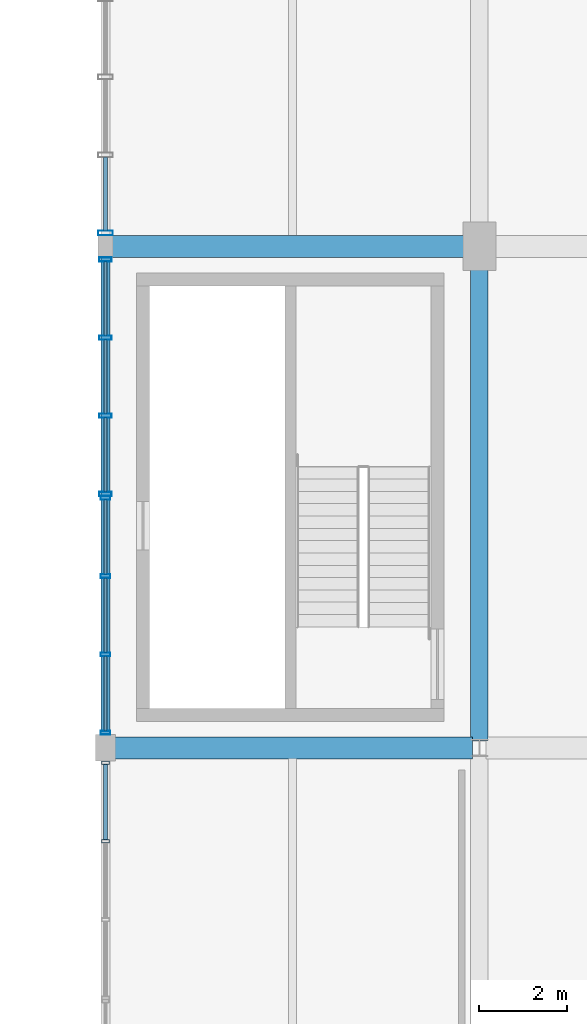
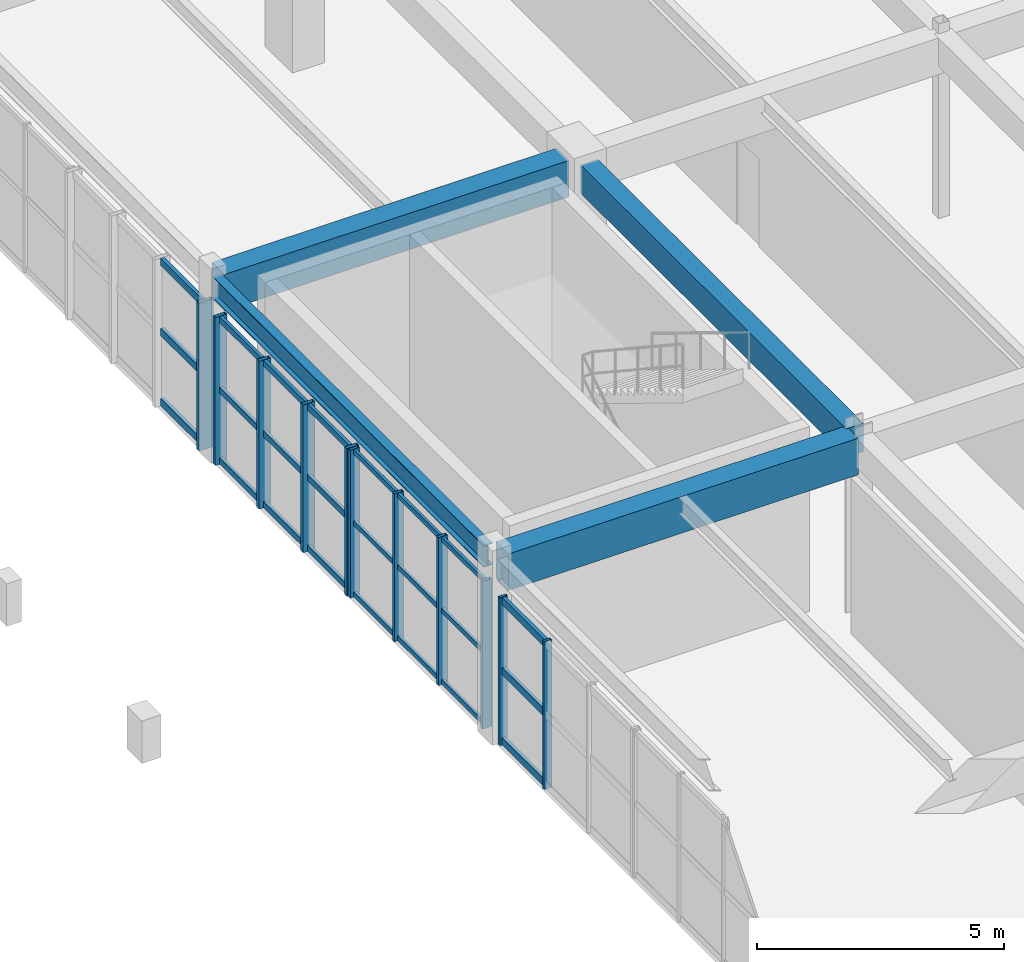
# One storey, part 40 of 106: 35 members, 4 beams, 4 elements without a shape of their own.
"""IFC4 building model written with IfcOpenShell, lengths in metres."""

from ifc_helpers import new_model, si_unit, direction, frame, origin, origin_2d, place, context, subcontext, project, spatial, rectangle, hollow_rectangle, i_section, extrude, material, layer, layer_set, material_profile, profile_set, type_object, element, aggregate, save


model = new_model("IFC4")

# Units and contexts
model_context = context("Model", 3, precision=1e-05, world=origin(), true_north=direction((0.0, 1.0)))
body_context = subcontext(model_context, "Body", "Model", "MODEL_VIEW")
ifc_project = project(units=[si_unit("LENGTHUNIT", "METRE"), si_unit("AREAUNIT", "SQUARE_METRE"), si_unit("VOLUMEUNIT", "CUBIC_METRE"), si_unit("PLANEANGLEUNIT", "RADIAN"), si_unit("MASSUNIT", "GRAM", prefix="KILO"), si_unit("POWERUNIT", "WATT"), si_unit("THERMODYNAMICTEMPERATUREUNIT", "KELVIN")], contexts=[model_context])

# Site, building, storey
site_placement = place(None, origin())
site = spatial("IfcSite", under=ifc_project, at=site_placement, CompositionType="ELEMENT")
building_placement = place(site_placement, origin())
building = spatial("IfcBuilding", under=site, at=building_placement, Name="Kelmbourne Parkland Aquatics Centre", CompositionType="ELEMENT")
storey_placement = place(building_placement, frame((0.0, 0.0, 5.39990234375)))
storey = spatial("IfcBuildingStorey", under=building, at=storey_placement, Name="L01", CompositionType="ELEMENT", Elevation=5.39990234375)

# Beams
ifc_material_1 = material(Name="Concrete C40/50", Category="concrete")
ifc_material_profile_1 = material_profile(ifc_material_1, rectangle(XDim=0.5, YDim=0.89990234375, at=origin_2d()), Name="RC 500x900")
ifc_profile_set_1 = profile_set([ifc_material_profile_1], Name="Concrete C40/50")
beam_type_1 = type_object("IfcBeamType", Name="BM-G03", PredefinedType="BEAM", material=ifc_profile_set_1)
beam_1_placement = place(storey_placement, frame((102.179931640625, 35.0, 4.110107421875), z_axis=(1.0, 0.0, 0.0), x_axis=(0.0, 1.0, 0.0)))
element("IfcBeam", 1, at=beam_1_placement, inside=storey, type_object=beam_type_1, Name="Primary girder M-N Grid 05 (L02)", PredefinedType="BEAM", context=body_context, shape_type="SweptSolid", body=[
    extrude(rectangle(XDim=0.5, YDim=0.89990234375, at=origin_2d()), origin(), (0.0, 0.0, 1.0), 8.1650390625),
])
beam_2_placement = place(storey_placement, frame((102.1298828125, 46.39990234375, 4.110107421875), z_axis=(1.0, 0.0, 0.0), x_axis=(0.0, 1.0, 0.0)))
element("IfcBeam", 2, at=beam_2_placement, inside=storey, type_object=beam_type_1, Name="Primary girder M-N Grid 06 (L02)", PredefinedType="BEAM", context=body_context, shape_type="SweptSolid", body=[
    extrude(rectangle(XDim=0.5, YDim=0.89990234375, at=origin_2d()), origin(), (0.0, 0.0, 1.0), 8.0400390625),
])
ifc_material_profile_2 = material_profile(ifc_material_1, rectangle(XDim=0.39990234375, YDim=0.699951171875, at=origin_2d()), Name="RC 400x700")
ifc_profile_set_2 = profile_set([ifc_material_profile_2], Name="Concrete C40/50")
beam_type_2 = type_object("IfcBeamType", Name="BM-G05", PredefinedType="BEAM", material=ifc_profile_set_2)
beam_3_placement = place(storey_placement, frame((110.5, 35.156982421875, 4.210205078125), z_axis=(0.0, 1.0, 0.0), x_axis=(-1.0, 0.0, 0.0)))
element("IfcBeam", 3, at=beam_3_placement, inside=storey, type_object=beam_type_2, Name="Primary girder 05-06 Grid N (L02)", PredefinedType="BEAM", context=body_context, shape_type="SweptSolid", body=[
    extrude(rectangle(XDim=0.39990234375, YDim=0.699951171875, at=origin_2d()), origin(), (0.0, 0.0, 1.0), 10.738037109375),
])
ifc_material_2 = material(Name="Structural steel AS/NZS 3679.1 Grade 300", Category="steel")
ifc_material_profile_3 = material_profile(ifc_material_2, i_section(OverallWidth=0.208984375, OverallDepth=0.532958984375, WebThickness=0.01025390625, FlangeThickness=0.015625, at=origin_2d()), Name="530UB92.4")
ifc_profile_set_3 = profile_set([ifc_material_profile_3], Name="Structural steel AS/NZS 3679.1 Grade 300")
beam_type_3 = type_object("IfcBeamType", Name="BM-SP02", PredefinedType="SPANDREL", material=ifc_profile_set_3)
beam_4_placement = place(storey_placement, frame((102.0, 35.2548828125, 4.293701171875), z_axis=(0.0, 1.0, 0.0), x_axis=(-1.0, 0.0, 0.0)))
element("IfcBeam", 4, at=beam_4_placement, inside=storey, type_object=beam_type_3, Name="Perimeter spandrel 05-06 Grid M (L02)", PredefinedType="SPANDREL", context=body_context, shape_type="SweptSolid", body=[
    extrude(i_section(OverallWidth=0.208984375, OverallDepth=0.532958984375, WebThickness=0.01025390625, FlangeThickness=0.015625, at=origin_2d()), origin(), (0.0, 0.0, 1.0), 10.940185546875),
])

# Curtain wall, members
ifc_material_3 = material(Name="Thermally broken anodised aluminium framing", Category="aluminium")
ifc_layer_1 = layer(ifc_material_3, 0.179931640625)
ifc_layer_set_1 = layer_set([ifc_layer_1], Name="Thermally broken anodised aluminium framing")
curtain_wall_type_1 = type_object("IfcCurtainWallType", Name="CW-23", PredefinedType="NOTDEFINED", material=ifc_layer_set_1)
curtain_wall_1_placement = place(storey_placement, origin())
curtain_wall_1 = element("IfcCurtainWall", 5, at=curtain_wall_1_placement, inside=storey, type_object=curtain_wall_type_1, Name="Facade curtain wall CW-L01-191", PredefinedType="NOTDEFINED")
ifc_material_profile_4 = material_profile(ifc_material_3, hollow_rectangle(XDim=0.074951171875, YDim=0.179931640625, WallThickness=0.00439453125, at=origin_2d()), Name="CW-M 75x180")
ifc_profile_set_4 = profile_set([ifc_material_profile_4], Name="Thermally broken anodised aluminium framing")
member_type_1 = type_object("IfcMemberType", Name="MB-MUL-2", PredefinedType="MULLION", material=ifc_profile_set_4)
member_1_placement = place(storey_placement, frame((102.0, 32.877685546875, 0.0), z_axis=(0.0, 0.0, 1.0), x_axis=(0.0, 1.0, 0.0)))
member_1 = element("IfcMember", 6, at=member_1_placement, type_object=member_type_1, Name="CW-L01-191 mullion 2", PredefinedType="MULLION", context=body_context, shape_type="SweptSolid", body=[
    extrude(hollow_rectangle(XDim=0.074951171875, YDim=0.179931640625, WallThickness=0.00439453125, at=origin_2d()), origin(), (0.0, 0.0, 1.0), 3.64501953125),
])
member_2_placement = place(storey_placement, frame((102.0, 34.660400390625, 0.0), z_axis=(0.0, 0.0, 1.0), x_axis=(0.0, 1.0, 0.0)))
member_2 = element("IfcMember", 7, at=member_2_placement, type_object=member_type_1, Name="CW-L01-191 mullion 3", PredefinedType="MULLION", context=body_context, shape_type="SweptSolid", body=[
    extrude(hollow_rectangle(XDim=0.074951171875, YDim=0.179931640625, WallThickness=0.00439453125, at=origin_2d()), origin(), (0.0, 0.0, 1.0), 3.64501953125),
])

ifc_layer_2 = layer(ifc_material_3, 0.179931640625)
ifc_layer_set_2 = layer_set([ifc_layer_2], Name="Thermally broken anodised aluminium framing")
curtain_wall_type_2 = type_object("IfcCurtainWallType", Name="CW-24", PredefinedType="NOTDEFINED", material=ifc_layer_set_2)
curtain_wall_2_placement = place(storey_placement, origin())
curtain_wall_2 = element("IfcCurtainWall", 8, at=curtain_wall_2_placement, inside=storey, type_object=curtain_wall_type_2, Name="Facade curtain wall CW-L01-192", PredefinedType="NOTDEFINED")
ifc_material_profile_5 = material_profile(ifc_material_3, hollow_rectangle(XDim=0.0849609375, YDim=0.219970703125, WallThickness=0.0048828125, at=origin_2d()), Name="CW-M 85x220")
ifc_profile_set_5 = profile_set([ifc_material_profile_5], Name="Thermally broken anodised aluminium framing")
member_type_2 = type_object("IfcMemberType", Name="MB-MUL-3", PredefinedType="MULLION", material=ifc_profile_set_5)
member_3_placement = place(storey_placement, frame((102.0, 35.344482421875, 0.0), z_axis=(0.0, 0.0, 1.0), x_axis=(0.0, 1.0, 0.0)))
member_3 = element("IfcMember", 9, at=member_3_placement, type_object=member_type_2, Name="CW-L01-192 mullion 0", PredefinedType="MULLION", context=body_context, shape_type="SweptSolid", body=[
    extrude(hollow_rectangle(XDim=0.0849609375, YDim=0.219970703125, WallThickness=0.0048828125, at=origin_2d()), origin(), (0.0, 0.0, 1.0), 3.64501953125),
])
member_4_placement = place(storey_placement, frame((102.0, 37.123779296875, 0.0), z_axis=(0.0, 0.0, 1.0), x_axis=(0.0, 1.0, 0.0)))
member_4 = element("IfcMember", 10, at=member_4_placement, type_object=member_type_2, Name="CW-L01-192 mullion 1", PredefinedType="MULLION", context=body_context, shape_type="SweptSolid", body=[
    extrude(hollow_rectangle(XDim=0.0849609375, YDim=0.219970703125, WallThickness=0.0048828125, at=origin_2d()), origin(), (0.0, 0.0, 1.0), 3.64501953125),
])
member_5_placement = place(storey_placement, frame((102.0, 38.9033203125, 0.0), z_axis=(0.0, 0.0, 1.0), x_axis=(0.0, 1.0, 0.0)))
member_5 = element("IfcMember", 11, at=member_5_placement, type_object=member_type_2, Name="CW-L01-192 mullion 2", PredefinedType="MULLION", context=body_context, shape_type="SweptSolid", body=[
    extrude(hollow_rectangle(XDim=0.0849609375, YDim=0.219970703125, WallThickness=0.0048828125, at=origin_2d()), origin(), (0.0, 0.0, 1.0), 3.64501953125),
])
member_6_placement = place(storey_placement, frame((102.0, 40.6826171875, 0.0), z_axis=(0.0, 0.0, 1.0), x_axis=(0.0, 1.0, 0.0)))
member_6 = element("IfcMember", 12, at=member_6_placement, type_object=member_type_2, Name="CW-L01-192 mullion 3", PredefinedType="MULLION", context=body_context, shape_type="SweptSolid", body=[
    extrude(hollow_rectangle(XDim=0.0849609375, YDim=0.219970703125, WallThickness=0.0048828125, at=origin_2d()), origin(), (0.0, 0.0, 1.0), 3.64501953125),
])

ifc_layer_3 = layer(ifc_material_3, 0.179931640625)
ifc_layer_set_3 = layer_set([ifc_layer_3], Name="Thermally broken anodised aluminium framing")
curtain_wall_type_3 = type_object("IfcCurtainWallType", Name="CW-01", PredefinedType="NOTDEFINED", material=ifc_layer_set_3)
curtain_wall_3_placement = place(storey_placement, origin())
curtain_wall_3 = element("IfcCurtainWall", 13, at=curtain_wall_3_placement, inside=storey, type_object=curtain_wall_type_3, Name="Facade curtain wall CW-L01-193", PredefinedType="NOTDEFINED")
ifc_material_profile_6 = material_profile(ifc_material_3, hollow_rectangle(XDim=0.094970703125, YDim=0.280029296875, WallThickness=0.005615234375, at=origin_2d()), Name="CW-M 95x280")
ifc_profile_set_6 = profile_set([ifc_material_profile_6], Name="Thermally broken anodised aluminium framing")
member_type_3 = type_object("IfcMemberType", Name="MB-MUL-4", PredefinedType="MULLION", material=ifc_profile_set_6)
member_7_placement = place(storey_placement, frame((102.0, 40.7724609375, 0.0), z_axis=(0.0, 0.0, 1.0), x_axis=(0.0, 1.0, 0.0)))
member_7 = element("IfcMember", 14, at=member_7_placement, type_object=member_type_3, Name="CW-L01-193 mullion 0", PredefinedType="MULLION", context=body_context, shape_type="SweptSolid", body=[
    extrude(hollow_rectangle(XDim=0.094970703125, YDim=0.280029296875, WallThickness=0.005615234375, at=origin_2d()), origin(), (0.0, 0.0, 1.0), 3.64501953125),
])
member_8_placement = place(storey_placement, frame((102.0, 42.548583984375, 0.0), z_axis=(0.0, 0.0, 1.0), x_axis=(0.0, 1.0, 0.0)))
member_8 = element("IfcMember", 15, at=member_8_placement, type_object=member_type_3, Name="CW-L01-193 mullion 1", PredefinedType="MULLION", context=body_context, shape_type="SweptSolid", body=[
    extrude(hollow_rectangle(XDim=0.094970703125, YDim=0.280029296875, WallThickness=0.005615234375, at=origin_2d()), origin(), (0.0, 0.0, 1.0), 3.64501953125),
])
member_9_placement = place(storey_placement, frame((102.0, 44.324462890625, 0.0), z_axis=(0.0, 0.0, 1.0), x_axis=(0.0, 1.0, 0.0)))
member_9 = element("IfcMember", 16, at=member_9_placement, type_object=member_type_3, Name="CW-L01-193 mullion 2", PredefinedType="MULLION", context=body_context, shape_type="SweptSolid", body=[
    extrude(hollow_rectangle(XDim=0.094970703125, YDim=0.280029296875, WallThickness=0.005615234375, at=origin_2d()), origin(), (0.0, 0.0, 1.0), 3.64501953125),
])
member_10_placement = place(storey_placement, frame((102.0, 46.1005859375, 0.0), z_axis=(0.0, 0.0, 1.0), x_axis=(0.0, 1.0, 0.0)))
member_10 = element("IfcMember", 17, at=member_10_placement, type_object=member_type_3, Name="CW-L01-193 mullion 3", PredefinedType="MULLION", context=body_context, shape_type="SweptSolid", body=[
    extrude(hollow_rectangle(XDim=0.094970703125, YDim=0.280029296875, WallThickness=0.005615234375, at=origin_2d()), origin(), (0.0, 0.0, 1.0), 3.64501953125),
])

# Curtain wall, member
ifc_layer_4 = layer(ifc_material_3, 0.179931640625)
ifc_layer_set_4 = layer_set([ifc_layer_4], Name="Thermally broken anodised aluminium framing")
curtain_wall_type_4 = type_object("IfcCurtainWallType", Name="CW-02", PredefinedType="NOTDEFINED", material=ifc_layer_set_4)
curtain_wall_4_placement = place(storey_placement, origin())
curtain_wall_4 = element("IfcCurtainWall", 18, at=curtain_wall_4_placement, inside=storey, type_object=curtain_wall_type_4, Name="Facade curtain wall CW-L01-194", PredefinedType="NOTDEFINED")
ifc_material_profile_7 = material_profile(ifc_material_3, hollow_rectangle(XDim=0.10498046875, YDim=0.340087890625, WallThickness=0.006103515625, at=origin_2d()), Name="CW-M 105x340")
ifc_profile_set_7 = profile_set([ifc_material_profile_7], Name="Thermally broken anodised aluminium framing")
member_type_4 = type_object("IfcMemberType", Name="MB-MUL-5", PredefinedType="MULLION", material=ifc_profile_set_7)
member_11_placement = place(storey_placement, frame((102.0, 46.70458984375, 0.0), z_axis=(0.0, 0.0, 1.0), x_axis=(0.0, 1.0, 0.0)))
member_11 = element("IfcMember", 19, at=member_11_placement, type_object=member_type_4, Name="CW-L01-194 mullion 0", PredefinedType="MULLION", context=body_context, shape_type="SweptSolid", body=[
    extrude(hollow_rectangle(XDim=0.10498046875, YDim=0.340087890625, WallThickness=0.006103515625, at=origin_2d()), origin(), (0.0, 0.0, 1.0), 3.64501953125),
])

# Member
ifc_material_profile_8 = material_profile(ifc_material_3, hollow_rectangle(XDim=0.06494140625, YDim=0.1201171875, WallThickness=0.00341796875, at=origin_2d()), Name="CW-T 65x120")
ifc_profile_set_8 = profile_set([ifc_material_profile_8], Name="Thermally broken anodised aluminium framing")
member_type_5 = type_object("IfcMemberType", Name="MB-TRN-1", PredefinedType="USERDEFINED", material=ifc_profile_set_8)
member_12_placement = place(storey_placement, frame((102.0, 35.383056640625, 0.06298828125), z_axis=(0.0, 1.0, 0.0), x_axis=(-1.0, 0.0, 0.0)))
member_12 = element("IfcMember", 20, at=member_12_placement, type_object=member_type_5, Name="CW-L01-192 transom 0-0", ObjectType="TRANSOM", PredefinedType="USERDEFINED", context=body_context, shape_type="SweptSolid", body=[
    extrude(hollow_rectangle(XDim=0.06494140625, YDim=0.1201171875, WallThickness=0.00341796875, at=origin_2d()), origin(), (0.0, 0.0, 1.0), 1.7021484375),
])

member_13_placement = place(storey_placement, frame((102.0, 37.162353515625, 0.06298828125), z_axis=(0.0, 1.0, 0.0), x_axis=(-1.0, 0.0, 0.0)))
member_13 = element("IfcMember", 21, at=member_13_placement, type_object=member_type_5, Name="CW-L01-192 transom 0-1", ObjectType="TRANSOM", PredefinedType="USERDEFINED", context=body_context, shape_type="SweptSolid", body=[
    extrude(hollow_rectangle(XDim=0.06494140625, YDim=0.1201171875, WallThickness=0.00341796875, at=origin_2d()), origin(), (0.0, 0.0, 1.0), 1.702392578125),
])

member_14_placement = place(storey_placement, frame((102.0, 38.941650390625, 0.06298828125), z_axis=(0.0, 1.0, 0.0), x_axis=(-1.0, 0.0, 0.0)))
member_14 = element("IfcMember", 22, at=member_14_placement, type_object=member_type_5, Name="CW-L01-192 transom 0-2", ObjectType="TRANSOM", PredefinedType="USERDEFINED", context=body_context, shape_type="SweptSolid", body=[
    extrude(hollow_rectangle(XDim=0.06494140625, YDim=0.1201171875, WallThickness=0.00341796875, at=origin_2d()), origin(), (0.0, 0.0, 1.0), 1.702392578125),
])

member_15_placement = place(storey_placement, frame((102.0, 35.383056640625, 1.822509765625), z_axis=(0.0, 1.0, 0.0), x_axis=(-1.0, 0.0, 0.0)))
member_15 = element("IfcMember", 23, at=member_15_placement, type_object=member_type_5, Name="CW-L01-192 transom 1-0", ObjectType="TRANSOM", PredefinedType="USERDEFINED", context=body_context, shape_type="SweptSolid", body=[
    extrude(hollow_rectangle(XDim=0.06494140625, YDim=0.1201171875, WallThickness=0.00341796875, at=origin_2d()), origin(), (0.0, 0.0, 1.0), 1.7021484375),
])

member_16_placement = place(storey_placement, frame((102.0, 37.162353515625, 1.822509765625), z_axis=(0.0, 1.0, 0.0), x_axis=(-1.0, 0.0, 0.0)))
member_16 = element("IfcMember", 24, at=member_16_placement, type_object=member_type_5, Name="CW-L01-192 transom 1-1", ObjectType="TRANSOM", PredefinedType="USERDEFINED", context=body_context, shape_type="SweptSolid", body=[
    extrude(hollow_rectangle(XDim=0.06494140625, YDim=0.1201171875, WallThickness=0.00341796875, at=origin_2d()), origin(), (0.0, 0.0, 1.0), 1.702392578125),
])

member_17_placement = place(storey_placement, frame((102.0, 38.941650390625, 1.822509765625), z_axis=(0.0, 1.0, 0.0), x_axis=(-1.0, 0.0, 0.0)))
member_17 = element("IfcMember", 25, at=member_17_placement, type_object=member_type_5, Name="CW-L01-192 transom 1-2", ObjectType="TRANSOM", PredefinedType="USERDEFINED", context=body_context, shape_type="SweptSolid", body=[
    extrude(hollow_rectangle(XDim=0.06494140625, YDim=0.1201171875, WallThickness=0.00341796875, at=origin_2d()), origin(), (0.0, 0.0, 1.0), 1.702392578125),
])

member_18_placement = place(storey_placement, frame((102.0, 35.383056640625, 3.58203125), z_axis=(0.0, 1.0, 0.0), x_axis=(-1.0, 0.0, 0.0)))
member_18 = element("IfcMember", 26, at=member_18_placement, type_object=member_type_5, Name="CW-L01-192 transom 2-0", ObjectType="TRANSOM", PredefinedType="USERDEFINED", context=body_context, shape_type="SweptSolid", body=[
    extrude(hollow_rectangle(XDim=0.06494140625, YDim=0.1201171875, WallThickness=0.00341796875, at=origin_2d()), origin(), (0.0, 0.0, 1.0), 1.7021484375),
])

member_19_placement = place(storey_placement, frame((102.0, 37.162353515625, 3.58203125), z_axis=(0.0, 1.0, 0.0), x_axis=(-1.0, 0.0, 0.0)))
member_19 = element("IfcMember", 27, at=member_19_placement, type_object=member_type_5, Name="CW-L01-192 transom 2-1", ObjectType="TRANSOM", PredefinedType="USERDEFINED", context=body_context, shape_type="SweptSolid", body=[
    extrude(hollow_rectangle(XDim=0.06494140625, YDim=0.1201171875, WallThickness=0.00341796875, at=origin_2d()), origin(), (0.0, 0.0, 1.0), 1.702392578125),
])

member_20_placement = place(storey_placement, frame((102.0, 38.941650390625, 3.58203125), z_axis=(0.0, 1.0, 0.0), x_axis=(-1.0, 0.0, 0.0)))
member_20 = element("IfcMember", 28, at=member_20_placement, type_object=member_type_5, Name="CW-L01-192 transom 2-2", ObjectType="TRANSOM", PredefinedType="USERDEFINED", context=body_context, shape_type="SweptSolid", body=[
    extrude(hollow_rectangle(XDim=0.06494140625, YDim=0.1201171875, WallThickness=0.00341796875, at=origin_2d()), origin(), (0.0, 0.0, 1.0), 1.702392578125),
])

aggregate(curtain_wall_2, [member_3, member_4, member_5, member_6, member_12, member_13, member_14, member_15, member_16, member_17, member_18, member_19, member_20])

ifc_material_profile_9 = material_profile(ifc_material_3, hollow_rectangle(XDim=0.074951171875, YDim=0.14990234375, WallThickness=0.00390625, at=origin_2d()), Name="CW-T 75x150")
ifc_profile_set_9 = profile_set([ifc_material_profile_9], Name="Thermally broken anodised aluminium framing")
member_type_6 = type_object("IfcMemberType", Name="MB-TRN-2", PredefinedType="USERDEFINED", material=ifc_profile_set_9)
member_21_placement = place(storey_placement, frame((102.0, 40.81591796875, 0.078125), z_axis=(0.0, 1.0, 0.0), x_axis=(-1.0, 0.0, 0.0)))
member_21 = element("IfcMember", 29, at=member_21_placement, type_object=member_type_6, Name="CW-L01-193 transom 0-0", ObjectType="TRANSOM", PredefinedType="USERDEFINED", context=body_context, shape_type="SweptSolid", body=[
    extrude(hollow_rectangle(XDim=0.074951171875, YDim=0.14990234375, WallThickness=0.00390625, at=origin_2d()), origin(), (0.0, 0.0, 1.0), 1.68896484375),
])

member_22_placement = place(storey_placement, frame((102.0, 42.592041015625, 0.078125), z_axis=(0.0, 1.0, 0.0), x_axis=(-1.0, 0.0, 0.0)))
member_22 = element("IfcMember", 30, at=member_22_placement, type_object=member_type_6, Name="CW-L01-193 transom 0-1", ObjectType="TRANSOM", PredefinedType="USERDEFINED", context=body_context, shape_type="SweptSolid", body=[
    extrude(hollow_rectangle(XDim=0.074951171875, YDim=0.14990234375, WallThickness=0.00390625, at=origin_2d()), origin(), (0.0, 0.0, 1.0), 1.68896484375),
])

member_23_placement = place(storey_placement, frame((102.0, 44.367919921875, 0.078125), z_axis=(0.0, 1.0, 0.0), x_axis=(-1.0, 0.0, 0.0)))
member_23 = element("IfcMember", 31, at=member_23_placement, type_object=member_type_6, Name="CW-L01-193 transom 0-2", ObjectType="TRANSOM", PredefinedType="USERDEFINED", context=body_context, shape_type="SweptSolid", body=[
    extrude(hollow_rectangle(XDim=0.074951171875, YDim=0.14990234375, WallThickness=0.00390625, at=origin_2d()), origin(), (0.0, 0.0, 1.0), 1.68896484375),
])

member_24_placement = place(storey_placement, frame((102.0, 40.81591796875, 1.822509765625), z_axis=(0.0, 1.0, 0.0), x_axis=(-1.0, 0.0, 0.0)))
member_24 = element("IfcMember", 32, at=member_24_placement, type_object=member_type_6, Name="CW-L01-193 transom 1-0", ObjectType="TRANSOM", PredefinedType="USERDEFINED", context=body_context, shape_type="SweptSolid", body=[
    extrude(hollow_rectangle(XDim=0.074951171875, YDim=0.14990234375, WallThickness=0.00390625, at=origin_2d()), origin(), (0.0, 0.0, 1.0), 1.68896484375),
])

member_25_placement = place(storey_placement, frame((102.0, 42.592041015625, 1.822509765625), z_axis=(0.0, 1.0, 0.0), x_axis=(-1.0, 0.0, 0.0)))
member_25 = element("IfcMember", 33, at=member_25_placement, type_object=member_type_6, Name="CW-L01-193 transom 1-1", ObjectType="TRANSOM", PredefinedType="USERDEFINED", context=body_context, shape_type="SweptSolid", body=[
    extrude(hollow_rectangle(XDim=0.074951171875, YDim=0.14990234375, WallThickness=0.00390625, at=origin_2d()), origin(), (0.0, 0.0, 1.0), 1.68896484375),
])

member_26_placement = place(storey_placement, frame((102.0, 44.367919921875, 1.822509765625), z_axis=(0.0, 1.0, 0.0), x_axis=(-1.0, 0.0, 0.0)))
member_26 = element("IfcMember", 34, at=member_26_placement, type_object=member_type_6, Name="CW-L01-193 transom 1-2", ObjectType="TRANSOM", PredefinedType="USERDEFINED", context=body_context, shape_type="SweptSolid", body=[
    extrude(hollow_rectangle(XDim=0.074951171875, YDim=0.14990234375, WallThickness=0.00390625, at=origin_2d()), origin(), (0.0, 0.0, 1.0), 1.68896484375),
])

member_27_placement = place(storey_placement, frame((102.0, 40.81591796875, 3.567138671875), z_axis=(0.0, 1.0, 0.0), x_axis=(-1.0, 0.0, 0.0)))
member_27 = element("IfcMember", 35, at=member_27_placement, type_object=member_type_6, Name="CW-L01-193 transom 2-0", ObjectType="TRANSOM", PredefinedType="USERDEFINED", context=body_context, shape_type="SweptSolid", body=[
    extrude(hollow_rectangle(XDim=0.074951171875, YDim=0.14990234375, WallThickness=0.00390625, at=origin_2d()), origin(), (0.0, 0.0, 1.0), 1.68896484375),
])

member_28_placement = place(storey_placement, frame((102.0, 42.592041015625, 3.567138671875), z_axis=(0.0, 1.0, 0.0), x_axis=(-1.0, 0.0, 0.0)))
member_28 = element("IfcMember", 36, at=member_28_placement, type_object=member_type_6, Name="CW-L01-193 transom 2-1", ObjectType="TRANSOM", PredefinedType="USERDEFINED", context=body_context, shape_type="SweptSolid", body=[
    extrude(hollow_rectangle(XDim=0.074951171875, YDim=0.14990234375, WallThickness=0.00390625, at=origin_2d()), origin(), (0.0, 0.0, 1.0), 1.68896484375),
])

member_29_placement = place(storey_placement, frame((102.0, 44.367919921875, 3.567138671875), z_axis=(0.0, 1.0, 0.0), x_axis=(-1.0, 0.0, 0.0)))
member_29 = element("IfcMember", 37, at=member_29_placement, type_object=member_type_6, Name="CW-L01-193 transom 2-2", ObjectType="TRANSOM", PredefinedType="USERDEFINED", context=body_context, shape_type="SweptSolid", body=[
    extrude(hollow_rectangle(XDim=0.074951171875, YDim=0.14990234375, WallThickness=0.00390625, at=origin_2d()), origin(), (0.0, 0.0, 1.0), 1.68896484375),
])

aggregate(curtain_wall_3, [member_7, member_8, member_9, member_10, member_21, member_22, member_23, member_24, member_25, member_26, member_27, member_28, member_29])

ifc_material_profile_10 = material_profile(ifc_material_3, hollow_rectangle(XDim=0.0849609375, YDim=0.179931640625, WallThickness=0.00439453125, at=origin_2d()), Name="CW-T 85x180")
ifc_profile_set_10 = profile_set([ifc_material_profile_10], Name="Thermally broken anodised aluminium framing")
member_type_7 = type_object("IfcMemberType", Name="MB-TRN-3", PredefinedType="USERDEFINED", material=ifc_profile_set_10)
member_30_placement = place(storey_placement, frame((102.0, 32.911376953125, 0.093017578125), z_axis=(0.0, 1.0, 0.0), x_axis=(-1.0, 0.0, 0.0)))
member_30 = element("IfcMember", 38, at=member_30_placement, type_object=member_type_7, Name="CW-L01-191 transom 0-2", ObjectType="TRANSOM", PredefinedType="USERDEFINED", context=body_context, shape_type="SweptSolid", body=[
    extrude(hollow_rectangle(XDim=0.0849609375, YDim=0.179931640625, WallThickness=0.00439453125, at=origin_2d()), origin(), (0.0, 0.0, 1.0), 1.715576171875),
])

member_31_placement = place(storey_placement, frame((102.0, 32.911376953125, 1.822509765625), z_axis=(0.0, 1.0, 0.0), x_axis=(-1.0, 0.0, 0.0)))
member_31 = element("IfcMember", 39, at=member_31_placement, type_object=member_type_7, Name="CW-L01-191 transom 1-2", ObjectType="TRANSOM", PredefinedType="USERDEFINED", context=body_context, shape_type="SweptSolid", body=[
    extrude(hollow_rectangle(XDim=0.0849609375, YDim=0.179931640625, WallThickness=0.00439453125, at=origin_2d()), origin(), (0.0, 0.0, 1.0), 1.715576171875),
])

member_32_placement = place(storey_placement, frame((102.0, 32.911376953125, 3.552001953125), z_axis=(0.0, 1.0, 0.0), x_axis=(-1.0, 0.0, 0.0)))
member_32 = element("IfcMember", 40, at=member_32_placement, type_object=member_type_7, Name="CW-L01-191 transom 2-2", ObjectType="TRANSOM", PredefinedType="USERDEFINED", context=body_context, shape_type="SweptSolid", body=[
    extrude(hollow_rectangle(XDim=0.0849609375, YDim=0.179931640625, WallThickness=0.00439453125, at=origin_2d()), origin(), (0.0, 0.0, 1.0), 1.715576171875),
])

aggregate(curtain_wall_1, [member_1, member_2, member_30, member_31, member_32])

member_33_placement = place(storey_placement, frame((102.0, 46.7529296875, 0.093017578125), z_axis=(0.0, 1.0, 0.0), x_axis=(-1.0, 0.0, 0.0)))
member_33 = element("IfcMember", 41, at=member_33_placement, type_object=member_type_7, Name="CW-L01-194 transom 0-0", ObjectType="TRANSOM", PredefinedType="USERDEFINED", context=body_context, shape_type="SweptSolid", body=[
    extrude(hollow_rectangle(XDim=0.0849609375, YDim=0.179931640625, WallThickness=0.00439453125, at=origin_2d()), origin(), (0.0, 0.0, 1.0), 1.67578125),
])

member_34_placement = place(storey_placement, frame((102.0, 46.7529296875, 1.822509765625), z_axis=(0.0, 1.0, 0.0), x_axis=(-1.0, 0.0, 0.0)))
member_34 = element("IfcMember", 42, at=member_34_placement, type_object=member_type_7, Name="CW-L01-194 transom 1-0", ObjectType="TRANSOM", PredefinedType="USERDEFINED", context=body_context, shape_type="SweptSolid", body=[
    extrude(hollow_rectangle(XDim=0.0849609375, YDim=0.179931640625, WallThickness=0.00439453125, at=origin_2d()), origin(), (0.0, 0.0, 1.0), 1.67578125),
])

member_35_placement = place(storey_placement, frame((102.0, 46.7529296875, 3.552001953125), z_axis=(0.0, 1.0, 0.0), x_axis=(-1.0, 0.0, 0.0)))
member_35 = element("IfcMember", 43, at=member_35_placement, type_object=member_type_7, Name="CW-L01-194 transom 2-0", ObjectType="TRANSOM", PredefinedType="USERDEFINED", context=body_context, shape_type="SweptSolid", body=[
    extrude(hollow_rectangle(XDim=0.0849609375, YDim=0.179931640625, WallThickness=0.00439453125, at=origin_2d()), origin(), (0.0, 0.0, 1.0), 1.67578125),
])

aggregate(curtain_wall_4, [member_11, member_33, member_34, member_35])

save(model, "model.ifc")
